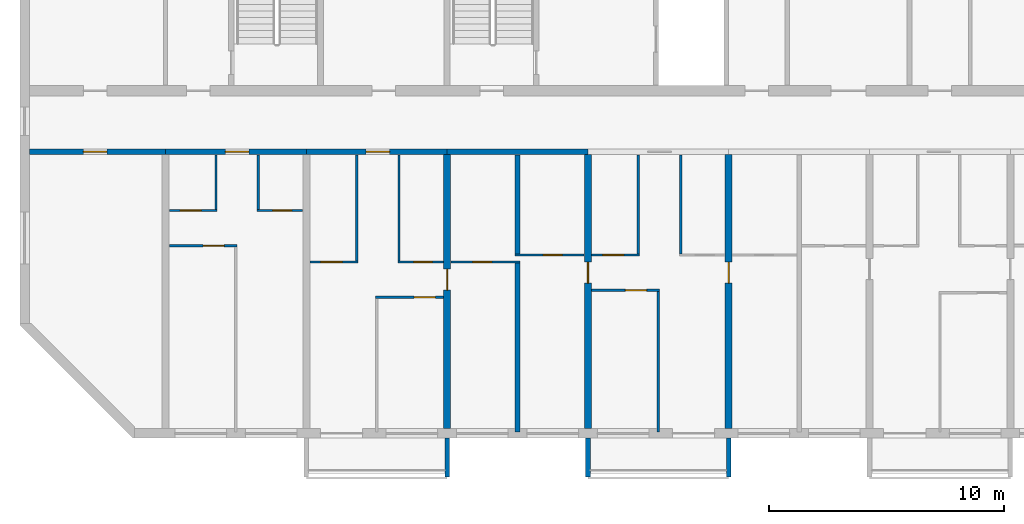
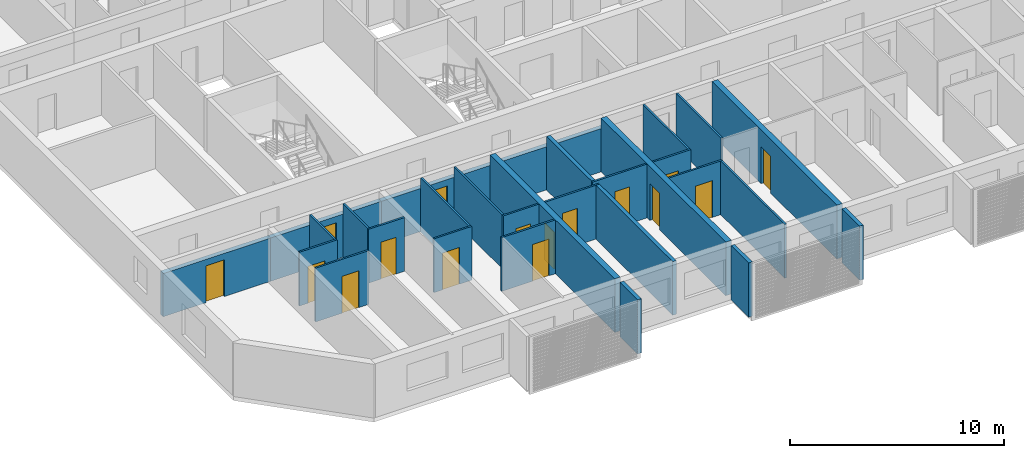
# One storey, part 2 of 32: 29 walls, 16 doors, 16 openings.
"""IFC4 building model written with IfcOpenShell, lengths in metres."""

from ifc_helpers import new_model, si_unit, direction, frame, frame_2d, origin, place, context, subcontext, project, spatial, polyline, rectangle, outline, extrude, source, transform, mapped, material, layer, layer_set, type_object, element, fill, save


model = new_model("IFC4")

# Units and contexts
model_context = context("Model", 3, precision=1e-05, world=origin(), true_north=direction((0.0, 1.0)))
body_context = subcontext(model_context, "Body", "Model", "MODEL_VIEW")
ifc_project = project(units=[si_unit("LENGTHUNIT", "METRE"), si_unit("AREAUNIT", "SQUARE_METRE"), si_unit("VOLUMEUNIT", "CUBIC_METRE"), si_unit("PLANEANGLEUNIT", "RADIAN"), si_unit("MASSUNIT", "GRAM", prefix="KILO")], contexts=[model_context])

# Site, building, storey
site_placement = place(None, origin())
site = spatial("IfcSite", under=ifc_project, at=site_placement, CompositionType="ELEMENT")
building_placement = place(site_placement, origin())
building = spatial("IfcBuilding", under=site, at=building_placement, Name="Poui Terraces", CompositionType="ELEMENT")
storey_placement = place(building_placement, frame((0.0, 0.0, 152.10009765625)))
storey = spatial("IfcBuildingStorey", under=building, at=storey_placement, Name="L42", CompositionType="ELEMENT", Elevation=152.10009765625)

# Wall, opening, door
ifc_material_1 = material(Name="Concrete 65 MPa", Category="concrete")
ifc_layer_1 = layer(ifc_material_1, 0.25)
ifc_layer_set_1 = layer_set([ifc_layer_1], Name="Concrete 65 MPa")
wall_type_1 = type_object("IfcWallType", Name="CORRIDOR WALL 250 65MPa", PredefinedType="SHEAR", material=ifc_layer_set_1)
wall_1_placement = place(storey_placement, frame((12.199951171875, 12.0, 0.0), z_axis=(0.0, 0.0, 1.0), x_axis=(1.0, 0.0, 0.0)))
wall_1 = element("IfcWall", 1, at=wall_1_placement, inside=storey, type_object=wall_type_1, Name="CORRIDOR WALL LINE B BAY 1", PredefinedType="SHEAR", context=body_context, shape_type="SweptSolid", body=[
    extrude(rectangle(XDim=5.800048828125, YDim=0.25, at=frame_2d((2.89990234375, 0.0))), origin(), (0.0, 0.0, 1.0), 2.469970703125),
])
opening_1_placement = place(wall_1_placement, frame((2.300048828125, 0.0, 0.0)))
opening_1 = element("IfcOpeningElement", 2, at=opening_1_placement, cuts=wall_1, Name="Opening D100", PredefinedType="OPENING", context=body_context, shape_type="SweptSolid", body=[
    extrude(rectangle(XDim=1.0, YDim=2.10009765625, at=frame_2d((0.5, 1.050048828125))), frame((0.0, 0.135009765625, 0.0), z_axis=(0.0, -1.0, 0.0), x_axis=(1.0, 0.0, 0.0)), (0.0, 0.0, 1.0), 0.27001953125),
])
ifc_material_2 = material(Name="Solid core timber door", Category="wood")
door_type_1 = type_object("IfcDoorType", Name="ACCESSIBLE INTERNAL DOOR 1000 X 2100", OperationType="NOTDEFINED", PredefinedType="DOOR", material=ifc_material_2)
door_1_placement = place(opening_1_placement, frame((1.0, 0.0, 0.0), z_axis=(0.0, 0.0, 1.0), x_axis=(-1.0, 0.0, 0.0)))
door_1 = element("IfcDoor", 3, at=door_1_placement, inside=storey, type_object=door_type_1, Name="ACCESSIBLE INTERNAL DOOR 074", OperationType="SINGLE_SWING_RIGHT", OverallHeight=2.10009765625, OverallWidth=1.0, PredefinedType="DOOR", context=body_context, shape_type="SweptSolid", body=[
    extrude(rectangle(XDim=1.0, YDim=2.10009765625, at=frame_2d((0.5, 1.050048828125))), frame((0.0, 0.02490234375, 0.0), z_axis=(0.0, -1.0, 0.0), x_axis=(1.0, 0.0, 0.0)), (0.0, 0.0, 1.0), 0.050048828125),
])
fill(opening_1, door_1)

wall_2_placement = place(storey_placement, frame((18.0, 12.0, 0.0), z_axis=(0.0, 0.0, 1.0), x_axis=(1.0, 0.0, 0.0)))
wall_2 = element("IfcWall", 4, at=wall_2_placement, inside=storey, type_object=wall_type_1, Name="CORRIDOR WALL LINE B BAY 2", PredefinedType="SHEAR", context=body_context, shape_type="SweptSolid", body=[
    extrude(rectangle(XDim=6.0, YDim=0.25, at=frame_2d((3.0, 0.0))), origin(), (0.0, 0.0, 1.0), 2.469970703125),
])
opening_2_placement = place(wall_2_placement, frame((2.550048828125, 0.0, 0.0)))
opening_2 = element("IfcOpeningElement", 5, at=opening_2_placement, cuts=wall_2, Name="Opening FD30S", PredefinedType="OPENING", context=body_context, shape_type="SweptSolid", body=[
    extrude(rectangle(XDim=1.0, YDim=2.10009765625, at=frame_2d((0.5, 1.050048828125))), frame((0.0, 0.135009765625, 0.0), z_axis=(0.0, -1.0, 0.0), x_axis=(1.0, 0.0, 0.0)), (0.0, 0.0, 1.0), 0.27001953125),
])
ifc_material_3 = material(Name="Steel fire door", Category="steel")
door_type_2 = type_object("IfcDoorType", Name="FLAT ENTRANCE DOOR 1000 X 2100", OperationType="NOTDEFINED", PredefinedType="DOOR", material=ifc_material_3)
door_2_placement = place(opening_2_placement, frame((1.0, 0.0, 0.0), z_axis=(0.0, 0.0, 1.0), x_axis=(-1.0, 0.0, 0.0)))
door_2 = element("IfcDoor", 6, at=door_2_placement, inside=storey, type_object=door_type_2, Name="FLAT ENTRANCE DOOR 077", OperationType="SINGLE_SWING_LEFT", OverallHeight=2.10009765625, OverallWidth=1.0, PredefinedType="DOOR", context=body_context, shape_type="SweptSolid", body=[
    extrude(rectangle(XDim=1.0, YDim=2.10009765625, at=frame_2d((0.5, 1.050048828125))), frame((0.0, 0.02490234375, 0.0), z_axis=(0.0, -1.0, 0.0), x_axis=(1.0, 0.0, 0.0)), (0.0, 0.0, 1.0), 0.050048828125),
])
fill(opening_2, door_2)

wall_3_placement = place(storey_placement, frame((24.0, 12.0, 0.0), z_axis=(0.0, 0.0, 1.0), x_axis=(1.0, 0.0, 0.0)))
wall_3 = element("IfcWall", 7, at=wall_3_placement, inside=storey, type_object=wall_type_1, Name="CORRIDOR WALL LINE B BAY 3", PredefinedType="SHEAR", context=body_context, shape_type="SweptSolid", body=[
    extrude(rectangle(XDim=6.0, YDim=0.25, at=frame_2d((3.0, 0.0))), origin(), (0.0, 0.0, 1.0), 2.469970703125),
])
opening_3_placement = place(wall_3_placement, frame((2.550048828125, 0.0, 0.0)))
opening_3 = element("IfcOpeningElement", 8, at=opening_3_placement, cuts=wall_3, Name="Opening FD30S", PredefinedType="OPENING", context=body_context, shape_type="SweptSolid", body=[
    extrude(rectangle(XDim=1.0, YDim=2.10009765625, at=frame_2d((0.5, 1.050048828125))), frame((0.0, 0.135009765625, 0.0), z_axis=(0.0, -1.0, 0.0), x_axis=(1.0, 0.0, 0.0)), (0.0, 0.0, 1.0), 0.27001953125),
])
door_3_placement = place(opening_3_placement, frame((1.0, 0.0, 0.0), z_axis=(0.0, 0.0, 1.0), x_axis=(-1.0, 0.0, 0.0)))
door_3 = element("IfcDoor", 9, at=door_3_placement, inside=storey, type_object=door_type_2, Name="FLAT ENTRANCE DOOR 081", OperationType="SINGLE_SWING_LEFT", OverallHeight=2.10009765625, OverallWidth=1.0, PredefinedType="DOOR", context=body_context, shape_type="SweptSolid", body=[
    extrude(rectangle(XDim=1.0, YDim=2.10009765625, at=frame_2d((0.5, 1.050048828125))), frame((0.0, 0.02490234375, 0.0), z_axis=(0.0, -1.0, 0.0), x_axis=(1.0, 0.0, 0.0)), (0.0, 0.0, 1.0), 0.050048828125),
])
fill(opening_3, door_3)

# Wall
wall_4_placement = place(storey_placement, frame((30.0, 12.0, 0.0), z_axis=(0.0, 0.0, 1.0), x_axis=(1.0, 0.0, 0.0)))
element("IfcWall", 10, at=wall_4_placement, inside=storey, type_object=wall_type_1, Name="CORRIDOR WALL LINE B BAY 4", PredefinedType="SHEAR", context=body_context, shape_type="SweptSolid", body=[
    extrude(rectangle(XDim=6.0, YDim=0.25, at=frame_2d((3.0, 0.0))), origin(), (0.0, 0.0, 1.0), 2.469970703125),
])

# Wall, opening, door
ifc_layer_2 = layer(ifc_material_1, 0.300048828125)
ifc_layer_set_2 = layer_set([ifc_layer_2], Name="Concrete 65 MPa")
wall_type_2 = type_object("IfcWallType", Name="CROSS WALL 300 65MPa", PredefinedType="SHEAR", material=ifc_layer_set_2)
wall_5_placement = place(storey_placement, frame((30.0, 0.199951171875, 0.0), z_axis=(0.0, 0.0, 1.0), x_axis=(0.0, 1.0, 0.0)))
wall_5 = element("IfcWall", 11, at=wall_5_placement, inside=storey, type_object=wall_type_2, Name="CROSS WALL LINE 6 SOUTH", PredefinedType="SHEAR", context=body_context, shape_type="SweptSolid", body=[
    extrude(rectangle(XDim=11.675048828125, YDim=0.300048828125, at=frame_2d((5.83740234375, 0.0))), origin(), (0.0, 0.0, 1.0), 3.06982421875),
])
opening_4_placement = place(wall_5_placement, frame((5.89990234375, 0.0, 0.0)))
opening_4 = element("IfcOpeningElement", 12, at=opening_4_placement, cuts=wall_5, Name="Opening D90", PredefinedType="OPENING", context=body_context, shape_type="SweptSolid", body=[
    extrude(rectangle(XDim=0.89990234375, YDim=2.10009765625, at=frame_2d((0.449951171875, 1.050048828125))), frame((0.0, 0.16015625, 0.0), z_axis=(0.0, -1.0, 0.0), x_axis=(1.0, 0.0, 0.0)), (0.0, 0.0, 1.0), 0.320068359375),
])
door_type_3 = type_object("IfcDoorType", Name="INTERNAL DOOR 900 X 2100", OperationType="NOTDEFINED", PredefinedType="DOOR", material=ifc_material_2)
door_4_placement = place(opening_4_placement, frame((0.89990234375, 0.0, 0.0), z_axis=(0.0, 0.0, 1.0), x_axis=(-1.0, 0.0, 0.0)))
door_4 = element("IfcDoor", 13, at=door_4_placement, inside=storey, type_object=door_type_3, Name="INTERNAL DOOR 084", OperationType="SINGLE_SWING_LEFT", OverallHeight=2.10009765625, OverallWidth=0.89990234375, PredefinedType="DOOR", context=body_context, shape_type="SweptSolid", body=[
    extrude(rectangle(XDim=0.89990234375, YDim=2.10009765625, at=frame_2d((0.449951171875, 1.050048828125))), frame((0.0, 0.02490234375, 0.0), z_axis=(0.0, -1.0, 0.0), x_axis=(1.0, 0.0, 0.0)), (0.0, 0.0, 1.0), 0.050048828125),
])
fill(opening_4, door_4)

wall_6_placement = place(storey_placement, frame((36.0, 0.199951171875, 0.0), z_axis=(0.0, 0.0, 1.0), x_axis=(0.0, 1.0, 0.0)))
wall_6 = element("IfcWall", 14, at=wall_6_placement, inside=storey, type_object=wall_type_2, Name="CROSS WALL LINE 7 SOUTH", PredefinedType="SHEAR", context=body_context, shape_type="SweptSolid", body=[
    extrude(rectangle(XDim=11.675048828125, YDim=0.300048828125, at=frame_2d((5.83740234375, 0.0))), origin(), (0.0, 0.0, 1.0), 3.06982421875),
])
opening_5_placement = place(wall_6_placement, frame((6.199951171875, 0.0, 0.0)))
opening_5 = element("IfcOpeningElement", 15, at=opening_5_placement, cuts=wall_6, Name="Opening D90", PredefinedType="OPENING", context=body_context, shape_type="SweptSolid", body=[
    extrude(rectangle(XDim=0.89990234375, YDim=2.10009765625, at=frame_2d((0.449951171875, 1.050048828125))), frame((0.0, 0.16015625, 0.0), z_axis=(0.0, -1.0, 0.0), x_axis=(1.0, 0.0, 0.0)), (0.0, 0.0, 1.0), 0.320068359375),
])
door_5_placement = place(opening_5_placement, origin())
door_5 = element("IfcDoor", 16, at=door_5_placement, inside=storey, type_object=door_type_3, Name="INTERNAL DOOR 087", OperationType="SINGLE_SWING_RIGHT", OverallHeight=2.10009765625, OverallWidth=0.89990234375, PredefinedType="DOOR", context=body_context, shape_type="SweptSolid", body=[
    extrude(rectangle(XDim=0.89990234375, YDim=2.10009765625, at=frame_2d((0.449951171875, 1.050048828125))), frame((0.0, 0.02490234375, 0.0), z_axis=(0.0, -1.0, 0.0), x_axis=(1.0, 0.0, 0.0)), (0.0, 0.0, 1.0), 0.050048828125),
])
fill(opening_5, door_5)

wall_7_placement = place(storey_placement, frame((42.0, 0.199951171875, 0.0), z_axis=(0.0, 0.0, 1.0), x_axis=(0.0, 1.0, 0.0)))
wall_7 = element("IfcWall", 17, at=wall_7_placement, inside=storey, type_object=wall_type_2, Name="CROSS WALL LINE 8 SOUTH", PredefinedType="SHEAR", context=body_context, shape_type="SweptSolid", body=[
    extrude(rectangle(XDim=11.675048828125, YDim=0.300048828125, at=frame_2d((5.83740234375, 0.0))), origin(), (0.0, 0.0, 1.0), 3.06982421875),
])
opening_6_placement = place(wall_7_placement, frame((6.199951171875, 0.0, 0.0)))
opening_6 = element("IfcOpeningElement", 18, at=opening_6_placement, cuts=wall_7, Name="Opening D90", PredefinedType="OPENING", context=body_context, shape_type="SweptSolid", body=[
    extrude(rectangle(XDim=0.89990234375, YDim=2.10009765625, at=frame_2d((0.449951171875, 1.050048828125))), frame((0.0, 0.16015625, 0.0), z_axis=(0.0, -1.0, 0.0), x_axis=(1.0, 0.0, 0.0)), (0.0, 0.0, 1.0), 0.320068359375),
])
door_6_placement = place(opening_6_placement, frame((0.89990234375, 0.0, 0.0), z_axis=(0.0, 0.0, 1.0), x_axis=(-1.0, 0.0, 0.0)))
door_6 = element("IfcDoor", 19, at=door_6_placement, inside=storey, type_object=door_type_3, Name="INTERNAL DOOR 092", OperationType="SINGLE_SWING_LEFT", OverallHeight=2.10009765625, OverallWidth=0.89990234375, PredefinedType="DOOR", context=body_context, shape_type="SweptSolid", body=[
    extrude(rectangle(XDim=0.89990234375, YDim=2.10009765625, at=frame_2d((0.449951171875, 1.050048828125))), frame((0.0, 0.02490234375, 0.0), z_axis=(0.0, -1.0, 0.0), x_axis=(1.0, 0.0, 0.0)), (0.0, 0.0, 1.0), 0.050048828125),
])
fill(opening_6, door_6)

ifc_material_4 = material(Name="Plasterboard partition")
ifc_layer_3 = layer(ifc_material_4, 0.10009765625)
ifc_layer_set_3 = layer_set([ifc_layer_3], Name="Plasterboard partition")
wall_type_3 = type_object("IfcWallType", Name="FLAT PARTITION 100", PredefinedType="PARTITIONING", material=ifc_layer_set_3)
wall_8_placement = place(storey_placement, frame((26.949951171875, 5.800048828125, 0.0), z_axis=(0.0, 0.0, 1.0), x_axis=(1.0, 0.0, 0.0)))
wall_8 = element("IfcWall", 20, at=wall_8_placement, inside=storey, type_object=wall_type_3, Name="FLAT PARTITION 100", PredefinedType="PARTITIONING", context=body_context, shape_type="SweptSolid", body=[
    extrude(rectangle(XDim=2.89013671875, YDim=0.10009765625, at=frame_2d((1.445068359375, 0.0))), origin(), (0.0, 0.0, 1.0), 3.06982421875),
])
opening_7_placement = place(wall_8_placement, frame((1.64990234375, 0.0, 0.0)))
opening_7 = element("IfcOpeningElement", 21, at=opening_7_placement, cuts=wall_8, Name="Opening D90", PredefinedType="OPENING", context=body_context, shape_type="SweptSolid", body=[
    extrude(rectangle(XDim=0.89990234375, YDim=2.10009765625, at=frame_2d((0.449951171875, 1.050048828125))), frame((0.0, 0.06005859375, 0.0), z_axis=(0.0, -1.0, 0.0), x_axis=(1.0, 0.0, 0.0)), (0.0, 0.0, 1.0), 0.1201171875),
])
door_7_placement = place(opening_7_placement, origin())
door_7 = element("IfcDoor", 22, at=door_7_placement, inside=storey, type_object=door_type_3, Name="INTERNAL DOOR 083", OperationType="SINGLE_SWING_LEFT", OverallHeight=2.10009765625, OverallWidth=0.89990234375, PredefinedType="DOOR", context=body_context, shape_type="SweptSolid", body=[
    extrude(rectangle(XDim=0.89990234375, YDim=2.10009765625, at=frame_2d((0.449951171875, 1.050048828125))), frame((0.0, 0.02490234375, 0.0), z_axis=(0.0, -1.0, 0.0), x_axis=(1.0, 0.0, 0.0)), (0.0, 0.0, 1.0), 0.050048828125),
])
fill(opening_7, door_7)

wall_9_placement = place(storey_placement, frame((36.159912109375, 6.10009765625, 0.0), z_axis=(0.0, 0.0, 1.0), x_axis=(1.0, 0.0, 0.0)))
wall_9 = element("IfcWall", 23, at=wall_9_placement, inside=storey, type_object=wall_type_3, Name="FLAT PARTITION 100", PredefinedType="PARTITIONING", context=body_context, shape_type="SweptSolid", body=[
    extrude(rectangle(XDim=2.89013671875, YDim=0.10009765625, at=frame_2d((1.445068359375, 0.0))), origin(), (0.0, 0.0, 1.0), 3.06982421875),
])
opening_8_placement = place(wall_9_placement, frame((1.43994140625, 0.0, 0.0)))
opening_8 = element("IfcOpeningElement", 24, at=opening_8_placement, cuts=wall_9, Name="Opening D90", PredefinedType="OPENING", context=body_context, shape_type="SweptSolid", body=[
    extrude(rectangle(XDim=0.89990234375, YDim=2.10009765625, at=frame_2d((0.449951171875, 1.050048828125))), frame((0.0, 0.06005859375, 0.0), z_axis=(0.0, -1.0, 0.0), x_axis=(1.0, 0.0, 0.0)), (0.0, 0.0, 1.0), 0.1201171875),
])
door_8_placement = place(opening_8_placement, origin())
door_8 = element("IfcDoor", 25, at=door_8_placement, inside=storey, type_object=door_type_3, Name="INTERNAL DOOR 089", OperationType="SINGLE_SWING_LEFT", OverallHeight=2.10009765625, OverallWidth=0.89990234375, PredefinedType="DOOR", context=body_context, shape_type="SweptSolid", body=[
    extrude(rectangle(XDim=0.89990234375, YDim=2.10009765625, at=frame_2d((0.449951171875, 1.050048828125))), frame((0.0, 0.02490234375, 0.0), z_axis=(0.0, -1.0, 0.0), x_axis=(1.0, 0.0, 0.0)), (0.0, 0.0, 1.0), 0.050048828125),
])
fill(opening_8, door_8)

wall_10_placement = place(storey_placement, frame((24.159912109375, 7.300048828125, 0.0), z_axis=(0.0, 0.0, 1.0), x_axis=(1.0, 0.0, 0.0)))
wall_10 = element("IfcWall", 26, at=wall_10_placement, inside=storey, type_object=wall_type_3, Name="FLAT PARTITION 100", PredefinedType="PARTITIONING", context=body_context, shape_type="SweptSolid", body=[
    extrude(rectangle(XDim=2.0400390625, YDim=0.10009765625, at=frame_2d((1.02001953125, 0.0))), origin(), (0.0, 0.0, 1.0), 3.06982421875),
])
opening_9_placement = place(wall_10_placement, frame((0.465087890625, 0.0, 0.0)))
opening_9 = element("IfcOpeningElement", 27, at=opening_9_placement, cuts=wall_10, Name="Opening D90", PredefinedType="OPENING", context=body_context, shape_type="SweptSolid", body=[
    extrude(rectangle(XDim=0.89990234375, YDim=2.10009765625, at=frame_2d((0.449951171875, 1.050048828125))), frame((0.0, 0.06005859375, 0.0), z_axis=(0.0, -1.0, 0.0), x_axis=(1.0, 0.0, 0.0)), (0.0, 0.0, 1.0), 0.1201171875),
])
door_9_placement = place(opening_9_placement, origin())
door_9 = element("IfcDoor", 28, at=door_9_placement, inside=storey, type_object=door_type_3, Name="INTERNAL DOOR 080", OperationType="SINGLE_SWING_LEFT", OverallHeight=2.10009765625, OverallWidth=0.89990234375, PredefinedType="DOOR", context=body_context, shape_type="SweptSolid", body=[
    extrude(rectangle(XDim=0.89990234375, YDim=2.10009765625, at=frame_2d((0.449951171875, 1.050048828125))), frame((0.0, 0.02490234375, 0.0), z_axis=(0.0, -1.0, 0.0), x_axis=(1.0, 0.0, 0.0)), (0.0, 0.0, 1.0), 0.050048828125),
])
fill(opening_9, door_9)

wall_11_placement = place(storey_placement, frame((27.89990234375, 7.300048828125, 0.0), z_axis=(0.0, 0.0, 1.0), x_axis=(1.0, 0.0, 0.0)))
wall_11 = element("IfcWall", 29, at=wall_11_placement, inside=storey, type_object=wall_type_3, Name="FLAT PARTITION 100", PredefinedType="PARTITIONING", context=body_context, shape_type="SweptSolid", body=[
    extrude(rectangle(XDim=1.940185546875, YDim=0.10009765625, at=frame_2d((0.97021484375, 0.0))), origin(), (0.0, 0.0, 1.0), 3.06982421875),
])
opening_10_placement = place(wall_11_placement, frame((0.675048828125, 0.0, 0.0)))
opening_10 = element("IfcOpeningElement", 30, at=opening_10_placement, cuts=wall_11, Name="Opening D80", PredefinedType="OPENING", context=body_context, shape_type="SweptSolid", body=[
    extrude(rectangle(XDim=0.800048828125, YDim=2.10009765625, at=frame_2d((0.39990234375, 1.050048828125))), frame((0.0, 0.06005859375, 0.0), z_axis=(0.0, -1.0, 0.0), x_axis=(1.0, 0.0, 0.0)), (0.0, 0.0, 1.0), 0.1201171875),
])
door_type_4 = type_object("IfcDoorType", Name="BATHROOM, LAUNDRY AND STORE DOOR 800 X 2100", OperationType="NOTDEFINED", PredefinedType="DOOR", material=ifc_material_2)
door_10_placement = place(opening_10_placement, origin())
door_10 = element("IfcDoor", 31, at=door_10_placement, inside=storey, type_object=door_type_4, Name="BATHROOM, LAUNDRY AND STORE DOOR 082", OperationType="SINGLE_SWING_RIGHT", OverallHeight=2.10009765625, OverallWidth=0.800048828125, PredefinedType="DOOR", context=body_context, shape_type="SweptSolid", body=[
    extrude(rectangle(XDim=0.800048828125, YDim=2.10009765625, at=frame_2d((0.39990234375, 1.050048828125))), frame((0.0, 0.02490234375, 0.0), z_axis=(0.0, -1.0, 0.0), x_axis=(1.0, 0.0, 0.0)), (0.0, 0.0, 1.0), 0.050048828125),
])
fill(opening_10, door_10)

wall_12_placement = place(storey_placement, frame((30.159912109375, 7.300048828125, 0.0), z_axis=(0.0, 0.0, 1.0), x_axis=(1.0, 0.0, 0.0)))
wall_12 = element("IfcWall", 32, at=wall_12_placement, inside=storey, type_object=wall_type_3, Name="FLAT PARTITION 100", PredefinedType="PARTITIONING", context=body_context, shape_type="SweptSolid", body=[
    extrude(rectangle(XDim=2.940185546875, YDim=0.10009765625, at=frame_2d((1.47021484375, 0.0))), origin(), (0.0, 0.0, 1.0), 3.06982421875),
])
opening_11_placement = place(wall_12_placement, frame((0.93994140625, 0.0, 0.0)))
opening_11 = element("IfcOpeningElement", 33, at=opening_11_placement, cuts=wall_12, Name="Opening D80", PredefinedType="OPENING", context=body_context, shape_type="SweptSolid", body=[
    extrude(rectangle(XDim=0.800048828125, YDim=2.10009765625, at=frame_2d((0.39990234375, 1.050048828125))), frame((0.0, 0.06005859375, 0.0), z_axis=(0.0, -1.0, 0.0), x_axis=(1.0, 0.0, 0.0)), (0.0, 0.0, 1.0), 0.1201171875),
])
door_11_placement = place(opening_11_placement, origin())
door_11 = element("IfcDoor", 34, at=door_11_placement, inside=storey, type_object=door_type_4, Name="BATHROOM, LAUNDRY AND STORE DOOR 079", OperationType="SINGLE_SWING_LEFT", OverallHeight=2.10009765625, OverallWidth=0.800048828125, PredefinedType="DOOR", context=body_context, shape_type="SweptSolid", body=[
    extrude(rectangle(XDim=0.800048828125, YDim=2.10009765625, at=frame_2d((0.39990234375, 1.050048828125))), frame((0.0, 0.02490234375, 0.0), z_axis=(0.0, -1.0, 0.0), x_axis=(1.0, 0.0, 0.0)), (0.0, 0.0, 1.0), 0.050048828125),
])
fill(opening_11, door_11)

wall_13_placement = place(storey_placement, frame((32.89990234375, 7.60009765625, 0.0), z_axis=(0.0, 0.0, 1.0), x_axis=(1.0, 0.0, 0.0)))
wall_13 = element("IfcWall", 35, at=wall_13_placement, inside=storey, type_object=wall_type_3, Name="FLAT PARTITION 100", PredefinedType="PARTITIONING", context=body_context, shape_type="SweptSolid", body=[
    extrude(rectangle(XDim=2.940185546875, YDim=0.10009765625, at=frame_2d((1.47021484375, 0.0))), origin(), (0.0, 0.0, 1.0), 3.06982421875),
])
opening_12_placement = place(wall_13_placement, frame((1.199951171875, 0.0, 0.0)))
opening_12 = element("IfcOpeningElement", 36, at=opening_12_placement, cuts=wall_13, Name="Opening D80", PredefinedType="OPENING", context=body_context, shape_type="SweptSolid", body=[
    extrude(rectangle(XDim=0.800048828125, YDim=2.10009765625, at=frame_2d((0.39990234375, 1.050048828125))), frame((0.0, 0.06005859375, 0.0), z_axis=(0.0, -1.0, 0.0), x_axis=(1.0, 0.0, 0.0)), (0.0, 0.0, 1.0), 0.1201171875),
])
door_12_placement = place(opening_12_placement, origin())
door_12 = element("IfcDoor", 37, at=door_12_placement, inside=storey, type_object=door_type_4, Name="BATHROOM, LAUNDRY AND STORE DOOR 085", OperationType="SINGLE_SWING_RIGHT", OverallHeight=2.10009765625, OverallWidth=0.800048828125, PredefinedType="DOOR", context=body_context, shape_type="SweptSolid", body=[
    extrude(rectangle(XDim=0.800048828125, YDim=2.10009765625, at=frame_2d((0.39990234375, 1.050048828125))), frame((0.0, 0.02490234375, 0.0), z_axis=(0.0, -1.0, 0.0), x_axis=(1.0, 0.0, 0.0)), (0.0, 0.0, 1.0), 0.050048828125),
])
fill(opening_12, door_12)

wall_14_placement = place(storey_placement, frame((36.159912109375, 7.60009765625, 0.0), z_axis=(0.0, 0.0, 1.0), x_axis=(1.0, 0.0, 0.0)))
wall_14 = element("IfcWall", 38, at=wall_14_placement, inside=storey, type_object=wall_type_3, Name="FLAT PARTITION 100", PredefinedType="PARTITIONING", context=body_context, shape_type="SweptSolid", body=[
    extrude(rectangle(XDim=2.0400390625, YDim=0.10009765625, at=frame_2d((1.02001953125, 0.0))), origin(), (0.0, 0.0, 1.0), 3.06982421875),
])
opening_13_placement = place(wall_14_placement, frame((0.465087890625, 0.0, 0.0)))
opening_13 = element("IfcOpeningElement", 39, at=opening_13_placement, cuts=wall_14, Name="Opening D90", PredefinedType="OPENING", context=body_context, shape_type="SweptSolid", body=[
    extrude(rectangle(XDim=0.89990234375, YDim=2.10009765625, at=frame_2d((0.449951171875, 1.050048828125))), frame((0.0, 0.06005859375, 0.0), z_axis=(0.0, -1.0, 0.0), x_axis=(1.0, 0.0, 0.0)), (0.0, 0.0, 1.0), 0.1201171875),
])
door_13_placement = place(opening_13_placement, origin())
door_13 = element("IfcDoor", 40, at=door_13_placement, inside=storey, type_object=door_type_3, Name="INTERNAL DOOR 088", OperationType="SINGLE_SWING_RIGHT", OverallHeight=2.10009765625, OverallWidth=0.89990234375, PredefinedType="DOOR", context=body_context, shape_type="SweptSolid", body=[
    extrude(rectangle(XDim=0.89990234375, YDim=2.10009765625, at=frame_2d((0.449951171875, 1.050048828125))), frame((0.0, 0.02490234375, 0.0), z_axis=(0.0, -1.0, 0.0), x_axis=(1.0, 0.0, 0.0)), (0.0, 0.0, 1.0), 0.050048828125),
])
fill(opening_13, door_13)

wall_15_placement = place(storey_placement, frame((18.159912109375, 8.0, 0.0), z_axis=(0.0, 0.0, 1.0), x_axis=(1.0, 0.0, 0.0)))
wall_15 = element("IfcWall", 41, at=wall_15_placement, inside=storey, type_object=wall_type_3, Name="FLAT PARTITION 100", PredefinedType="PARTITIONING", context=body_context, shape_type="SweptSolid", body=[
    extrude(rectangle(XDim=2.89013671875, YDim=0.10009765625, at=frame_2d((1.445068359375, 0.0))), origin(), (0.0, 0.0, 1.0), 3.06982421875),
])
opening_14_placement = place(wall_15_placement, frame((1.43994140625, 0.0, 0.0)))
opening_14 = element("IfcOpeningElement", 42, at=opening_14_placement, cuts=wall_15, Name="Opening D90", PredefinedType="OPENING", context=body_context, shape_type="SweptSolid", body=[
    extrude(rectangle(XDim=0.89990234375, YDim=2.10009765625, at=frame_2d((0.449951171875, 1.050048828125))), frame((0.0, 0.06005859375, 0.0), z_axis=(0.0, -1.0, 0.0), x_axis=(1.0, 0.0, 0.0)), (0.0, 0.0, 1.0), 0.1201171875),
])
door_14_placement = place(opening_14_placement, origin())
door_14 = element("IfcDoor", 43, at=door_14_placement, inside=storey, type_object=door_type_3, Name="INTERNAL DOOR 076", OperationType="SINGLE_SWING_LEFT", OverallHeight=2.10009765625, OverallWidth=0.89990234375, PredefinedType="DOOR", context=body_context, shape_type="SweptSolid", body=[
    extrude(rectangle(XDim=0.89990234375, YDim=2.10009765625, at=frame_2d((0.449951171875, 1.050048828125))), frame((0.0, 0.02490234375, 0.0), z_axis=(0.0, -1.0, 0.0), x_axis=(1.0, 0.0, 0.0)), (0.0, 0.0, 1.0), 0.050048828125),
])
fill(opening_14, door_14)

wall_16_placement = place(storey_placement, frame((18.159912109375, 9.5, 0.0), z_axis=(0.0, 0.0, 1.0), x_axis=(1.0, 0.0, 0.0)))
wall_16 = element("IfcWall", 44, at=wall_16_placement, inside=storey, type_object=wall_type_3, Name="FLAT PARTITION 100", PredefinedType="PARTITIONING", context=body_context, shape_type="SweptSolid", body=[
    extrude(rectangle(XDim=2.0400390625, YDim=0.10009765625, at=frame_2d((1.02001953125, 0.0))), origin(), (0.0, 0.0, 1.0), 3.06982421875),
])
opening_15_placement = place(wall_16_placement, frame((0.465087890625, 0.0, 0.0)))
opening_15 = element("IfcOpeningElement", 45, at=opening_15_placement, cuts=wall_16, Name="Opening D90", PredefinedType="OPENING", context=body_context, shape_type="SweptSolid", body=[
    extrude(rectangle(XDim=0.89990234375, YDim=2.10009765625, at=frame_2d((0.449951171875, 1.050048828125))), frame((0.0, 0.06005859375, 0.0), z_axis=(0.0, -1.0, 0.0), x_axis=(1.0, 0.0, 0.0)), (0.0, 0.0, 1.0), 0.1201171875),
])
door_15_placement = place(opening_15_placement, origin())
door_15 = element("IfcDoor", 46, at=door_15_placement, inside=storey, type_object=door_type_3, Name="INTERNAL DOOR 075", OperationType="SINGLE_SWING_RIGHT", OverallHeight=2.10009765625, OverallWidth=0.89990234375, PredefinedType="DOOR", context=body_context, shape_type="SweptSolid", body=[
    extrude(rectangle(XDim=0.89990234375, YDim=2.10009765625, at=frame_2d((0.449951171875, 1.050048828125))), frame((0.0, 0.02490234375, 0.0), z_axis=(0.0, -1.0, 0.0), x_axis=(1.0, 0.0, 0.0)), (0.0, 0.0, 1.0), 0.050048828125),
])
fill(opening_15, door_15)

wall_17_placement = place(storey_placement, frame((21.89990234375, 9.5, 0.0), z_axis=(0.0, 0.0, 1.0), x_axis=(1.0, 0.0, 0.0)))
wall_17 = element("IfcWall", 47, at=wall_17_placement, inside=storey, type_object=wall_type_3, Name="FLAT PARTITION 100", PredefinedType="PARTITIONING", context=body_context, shape_type="SweptSolid", body=[
    extrude(rectangle(XDim=1.940185546875, YDim=0.10009765625, at=frame_2d((0.97021484375, 0.0))), origin(), (0.0, 0.0, 1.0), 3.06982421875),
])
opening_16_placement = place(wall_17_placement, frame((0.675048828125, 0.0, 0.0)))
opening_16 = element("IfcOpeningElement", 48, at=opening_16_placement, cuts=wall_17, Name="Opening D80", PredefinedType="OPENING", context=body_context, shape_type="SweptSolid", body=[
    extrude(rectangle(XDim=0.800048828125, YDim=2.10009765625, at=frame_2d((0.39990234375, 1.050048828125))), frame((0.0, 0.06005859375, 0.0), z_axis=(0.0, -1.0, 0.0), x_axis=(1.0, 0.0, 0.0)), (0.0, 0.0, 1.0), 0.1201171875),
])
door_16_placement = place(opening_16_placement, origin())
door_16 = element("IfcDoor", 49, at=door_16_placement, inside=storey, type_object=door_type_4, Name="BATHROOM, LAUNDRY AND STORE DOOR 078", OperationType="SINGLE_SWING_LEFT", OverallHeight=2.10009765625, OverallWidth=0.800048828125, PredefinedType="DOOR", context=body_context, shape_type="SweptSolid", body=[
    extrude(rectangle(XDim=0.800048828125, YDim=2.10009765625, at=frame_2d((0.39990234375, 1.050048828125))), frame((0.0, 0.02490234375, 0.0), z_axis=(0.0, -1.0, 0.0), x_axis=(1.0, 0.0, 0.0)), (0.0, 0.0, 1.0), 0.050048828125),
])
fill(opening_16, door_16)

# Walls
for number, where, z_axis, x_axis, name in (
    (50, (20.14990234375, 9.550048828125, 0.0), (0.0, 0.0, 1.0), (0.0, 1.0, 0.0), "FLAT PARTITION 100"),
    (51, (21.949951171875, 9.550048828125, 0.0), (0.0, 0.0, 1.0), (0.0, 1.0, 0.0), "FLAT PARTITION 100"),
):
    element("IfcWall", number, at=place(storey_placement, frame(where, z_axis=z_axis, x_axis=x_axis)), inside=storey, type_object=wall_type_3, Name=name, PredefinedType="PARTITIONING", context=body_context, shape_type="SweptSolid", body=[
        extrude(rectangle(XDim=2.31494140625, YDim=0.10009765625, at=frame_2d((1.157470703125, 0.0))), origin(), (0.0, 0.0, 1.0), 3.06982421875),
    ])
for number, where, z_axis, x_axis, name in (
    (52, (26.14990234375, 7.35009765625, 0.0), (0.0, 0.0, 1.0), (0.0, 1.0, 0.0), "FLAT PARTITION 100"),
    (53, (27.949951171875, 7.35009765625, 0.0), (0.0, 0.0, 1.0), (0.0, 1.0, 0.0), "FLAT PARTITION 100"),
):
    element("IfcWall", number, at=place(storey_placement, frame(where, z_axis=z_axis, x_axis=x_axis)), inside=storey, type_object=wall_type_3, Name=name, PredefinedType="PARTITIONING", context=body_context, shape_type="SweptSolid", body=[
        extrude(rectangle(XDim=4.514892578125, YDim=0.10009765625, at=frame_2d((2.25732421875, 0.0))), origin(), (0.0, 0.0, 1.0), 3.06982421875),
    ])
wall_18_placement = place(storey_placement, frame((38.14990234375, 7.64990234375, 0.0), z_axis=(0.0, 0.0, 1.0), x_axis=(0.0, 1.0, 0.0)))
element("IfcWall", 54, at=wall_18_placement, inside=storey, type_object=wall_type_3, Name="FLAT PARTITION 100", PredefinedType="PARTITIONING", context=body_context, shape_type="SweptSolid", body=[
    extrude(rectangle(XDim=4.215087890625, YDim=0.10009765625, at=frame_2d((2.107421875, 0.0))), origin(), (0.0, 0.0, 1.0), 3.06982421875),
])
wall_19_placement = place(storey_placement, frame((39.0, 0.06005859375, 0.0), z_axis=(0.0, 0.0, 1.0), x_axis=(0.0, 1.0, 0.0)))
element("IfcWall", 55, at=wall_19_placement, inside=storey, type_object=wall_type_3, Name="FLAT PARTITION 100", PredefinedType="PARTITIONING", context=body_context, shape_type="SweptSolid", body=[
    extrude(rectangle(XDim=5.989990234375, YDim=0.10009765625, at=frame_2d((2.9951171875, 0.0))), origin(), (0.0, 0.0, 1.0), 3.06982421875),
])
wall_20_placement = place(storey_placement, frame((39.949951171875, 7.64990234375, 0.0), z_axis=(0.0, 0.0, 1.0), x_axis=(0.0, 1.0, 0.0)))
element("IfcWall", 56, at=wall_20_placement, inside=storey, type_object=wall_type_3, Name="FLAT PARTITION 100", PredefinedType="PARTITIONING", context=body_context, shape_type="SweptSolid", body=[
    extrude(rectangle(XDim=4.215087890625, YDim=0.10009765625, at=frame_2d((2.107421875, 0.0))), origin(), (0.0, 0.0, 1.0), 3.06982421875),
])
ifc_material_5 = material(Name="Fire-rated masonry wall", Category="masonry")
ifc_layer_4 = layer(ifc_material_5, 0.199951171875)
ifc_layer_set_4 = layer_set([ifc_layer_4], Name="Fire-rated masonry wall")
wall_type_4 = type_object("IfcWallType", Name="FLAT PARTY WALL 200", PredefinedType="PARTITIONING", material=ifc_layer_set_4)
wall_21_placement = place(storey_placement, frame((33.0, 0.06005859375, 0.0), z_axis=(0.0, 0.0, 1.0), x_axis=(0.0, 1.0, 0.0)))
element("IfcWall", 57, at=wall_21_placement, inside=storey, type_object=wall_type_4, Name="FLAT PARTY WALL 200", PredefinedType="PARTITIONING", context=body_context, shape_type="SweptSolid", body=[
    extrude(rectangle(XDim=7.18994140625, YDim=0.199951171875, at=frame_2d((3.594970703125, 0.0))), origin(), (0.0, 0.0, 1.0), 3.06982421875),
])
wall_22_placement = place(storey_placement, frame((33.0, 7.64990234375, 0.0), z_axis=(0.0, 0.0, 1.0), x_axis=(0.0, 1.0, 0.0)))
element("IfcWall", 58, at=wall_22_placement, inside=storey, type_object=wall_type_4, Name="FLAT PARTY WALL 200", PredefinedType="PARTITIONING", context=body_context, shape_type="SweptSolid", body=[
    extrude(rectangle(XDim=4.215087890625, YDim=0.199951171875, at=frame_2d((2.107421875, 0.0))), origin(), (0.0, 0.0, 1.0), 3.06982421875),
])
ifc_material_6 = material(Name="Precast concrete 40 MPa", Category="concrete")
ifc_layer_5 = layer(ifc_material_6, 0.199951171875)
ifc_layer_set_5 = layer_set([ifc_layer_5], Name="Precast concrete 40 MPa")
wall_type_5 = type_object("IfcWallType", Name="REAR FIN 200", PredefinedType="STANDARD", material=ifc_layer_set_5)
shared_shape = source(origin(), body_context, "Body", "SweptSolid", [
    extrude(outline(polyline([(0.0, 0.0), (0.2001953125, 0.0), (0.2001953125, 1.650146484375), (0.0, 1.650146484375), (0.0, 0.0)])), origin(), (0.0, 0.0, 1.0), 3.099853515625),
])
for number, where, name in (
    (59, (29.89990234375, -1.85009765625, 0.0), "REAR FIN"),
    (60, (35.89990234375, -1.85009765625, 0.0), "REAR FIN"),
    (61, (41.89990234375, -1.85009765625, 0.0), "REAR FIN"),
):
    element("IfcWall", number, at=place(storey_placement, frame(where)), inside=storey, type_object=wall_type_5, Name=name, PredefinedType="STANDARD", context=body_context, shape_type="MappedRepresentation", body=[
        mapped(shared_shape, transform((0.0, 0.0, 0.0))),
    ])

save(model, "model.ifc")
